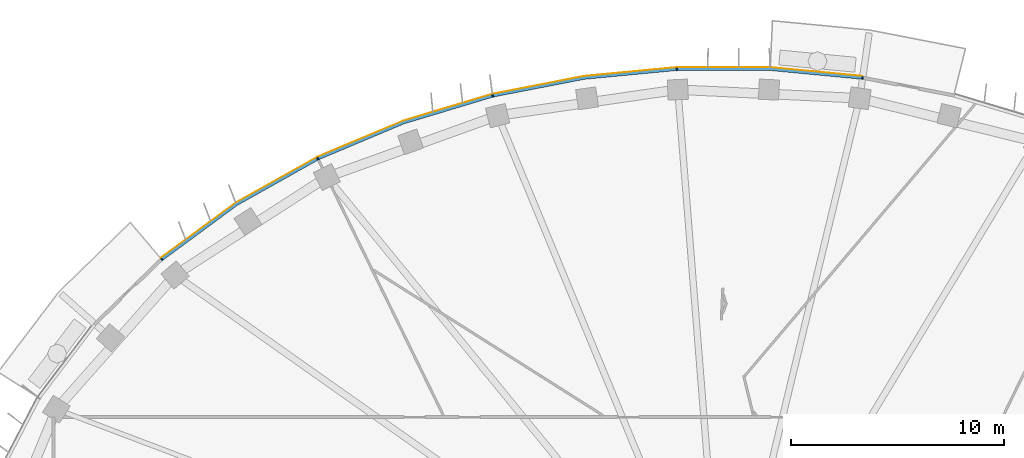
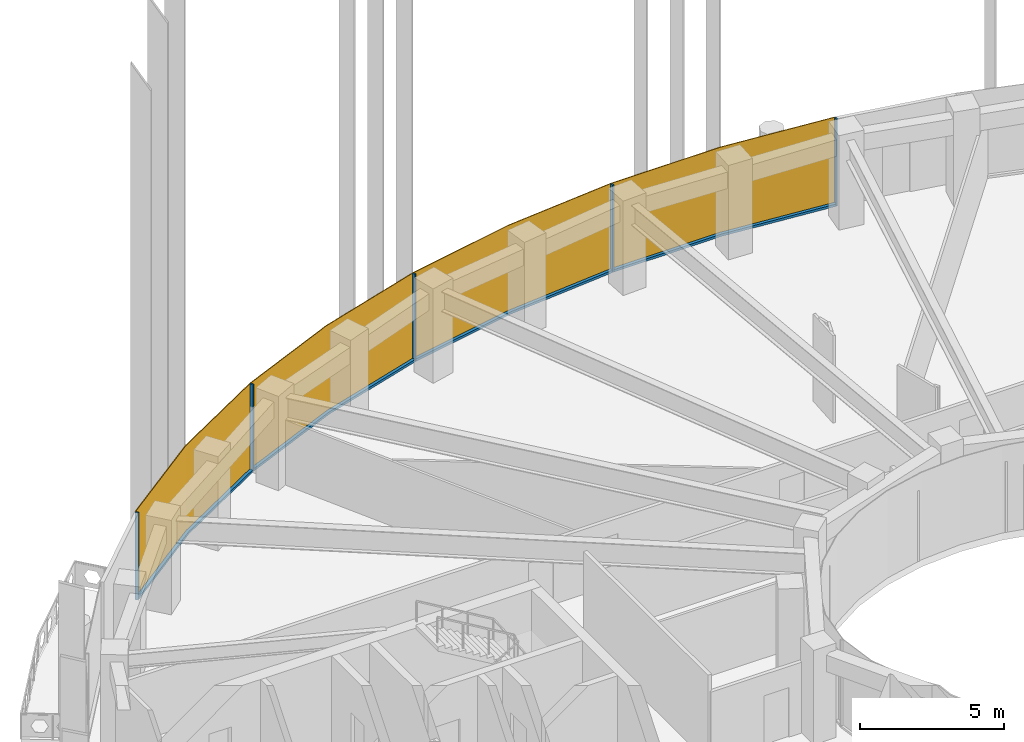
# One storey, part 11 of 17: 9 members, 1 curtain wall.
"""IFC4 building model written with IfcOpenShell, lengths in metres."""

from ifc_helpers import new_model, si_unit, direction, frame, origin, origin_2d, place, context, subcontext, project, spatial, polyline, rectangle, outline, extrude, material, layer, layer_set, material_profile, profile_set, type_object, element, aggregate, save


model = new_model("IFC4")

# Units and contexts
model_context = context("Model", 3, precision=1e-05, world=origin(), true_north=direction((0.0, 1.0)))
body_context = subcontext(model_context, "Body", "Model", "MODEL_VIEW")
ifc_project = project(units=[si_unit("LENGTHUNIT", "METRE"), si_unit("AREAUNIT", "SQUARE_METRE"), si_unit("VOLUMEUNIT", "CUBIC_METRE"), si_unit("PLANEANGLEUNIT", "RADIAN"), si_unit("MASSUNIT", "GRAM", prefix="KILO")], contexts=[model_context])

# Member
ifc_material_1 = material(Name="Aluminium 6063-T6 black anodised", Category="aluminium")
ifc_material_profile = material_profile(ifc_material_1, rectangle(XDim=0.1201171875, YDim=0.06005859375, at=origin_2d()), Name="120x60")
ifc_profile_set = profile_set([ifc_material_profile], Name="Aluminium 6063-T6 black anodised")
member_type_1 = type_object("IfcMemberType", Name="ENV-MULLION-A-120", PredefinedType="MULLION", material=ifc_profile_set)
site_placement = place(None, origin())
building_placement = place(site_placement, origin())
storey_placement = place(building_placement, frame((0.0, 0.0, 291.0)))
member_1_placement = place(storey_placement, frame((6.54638671875, 27.440185546875, 0.0), z_axis=(0.0, 0.0, 1.0), x_axis=(-0.143082012705, -0.989710835366, 0.0)))
member_1 = element("IfcMember", 1, at=member_1_placement, type_object=member_type_1, Name="Mullion A radial 11", PredefinedType="MULLION", context=body_context, shape_type="SweptSolid", body=[
    extrude(rectangle(XDim=0.1201171875, YDim=0.06005859375, at=origin_2d()), origin(), (0.0, 0.0, 1.0), 3.699951171875),
])

member_2_placement = place(storey_placement, frame((-2.188720703125, 27.856201171875, 0.0), z_axis=(0.0, 0.0, 1.0), x_axis=(0.047557873581, -0.998868484166, 0.0)))
member_2 = element("IfcMember", 2, at=member_2_placement, type_object=member_type_1, Name="Mullion A radial 13", PredefinedType="MULLION", context=body_context, shape_type="SweptSolid", body=[
    extrude(rectangle(XDim=0.1201171875, YDim=0.06005859375, at=origin_2d()), origin(), (0.0, 0.0, 1.0), 3.699951171875),
])

member_3_placement = place(storey_placement, frame((-10.84326171875, 26.60498046875, 0.0), z_axis=(0.0, 0.0, 1.0), x_axis=(0.239799081534, -0.970822538106, 0.0)))
member_3 = element("IfcMember", 3, at=member_3_placement, type_object=member_type_1, Name="Mullion A radial 15", PredefinedType="MULLION", context=body_context, shape_type="SweptSolid", body=[
    extrude(rectangle(XDim=0.1201171875, YDim=0.06005859375, at=origin_2d()), origin(), (0.0, 0.0, 1.0), 3.699951171875),
])

member_4_placement = place(storey_placement, frame((-19.06787109375, 23.6474609375, 0.0), z_axis=(0.0, 0.0, 1.0), x_axis=(0.439237769837, -0.898370848563, 0.0)))
member_4 = element("IfcMember", 4, at=member_4_placement, type_object=member_type_1, Name="Mullion A radial 17", PredefinedType="MULLION", context=body_context, shape_type="SweptSolid", body=[
    extrude(rectangle(XDim=0.1201171875, YDim=0.06005859375, at=origin_2d()), origin(), (0.0, 0.0, 1.0), 3.699951171875),
])

member_5_placement = place(storey_placement, frame((-26.403564453125, 18.9130859375, 0.0), z_axis=(0.0, 0.0, 1.0), x_axis=(0.646451313783, -0.762955240435, 0.0)))
member_5 = element("IfcMember", 5, at=member_5_placement, type_object=member_type_1, Name="Mullion A radial 19", PredefinedType="MULLION", context=body_context, shape_type="SweptSolid", body=[
    extrude(rectangle(XDim=0.1201171875, YDim=0.06005859375, at=origin_2d()), origin(), (0.0, 0.0, 1.0), 3.699951171875),
])

ifc_material_2 = material(Name="Aluminium 6063-T6 black anodised", Category="aluminium")
member_type_2 = type_object("IfcMemberType", Name="ENV-TRANSOM-A", PredefinedType="USERDEFINED", material=ifc_material_2)
member_6_placement = place(storey_placement, origin())
member_6 = element("IfcMember", 6, at=member_6_placement, type_object=member_type_2, Name="Transom A radial 11-13", ObjectType="TRANSOM", PredefinedType="USERDEFINED", context=body_context, shape_type="SweptSolid", body=[
    extrude(outline(polyline([(6.527099609375, 27.502197265625), (2.191650390625, 27.916015625), (-2.163818359375, 27.916015625), (-2.157958984375, 27.7958984375), (2.185791015625, 27.7958984375), (6.510009765625, 27.38330078125), (6.527099609375, 27.502197265625)])), origin(), (0.0, 0.0, 1.0), 0.10009765625),
])

member_7_placement = place(storey_placement, origin())
member_7 = element("IfcMember", 7, at=member_7_placement, type_object=member_type_2, Name="Transom A radial 13-15", ObjectType="TRANSOM", PredefinedType="USERDEFINED", context=body_context, shape_type="SweptSolid", body=[
    extrude(outline(polyline([(-2.219482421875, 27.913330078125), (-6.55517578125, 27.49951171875), (-10.830078125, 26.66845703125), (-10.80126953125, 26.552001953125), (-6.537841796875, 27.380615234375), (-2.2138671875, 27.793212890625), (-2.219482421875, 27.913330078125)])), origin(), (0.0, 0.0, 1.0), 0.10009765625),
])

member_8_placement = place(storey_placement, origin())
member_8 = element("IfcMember", 8, at=member_8_placement, type_object=member_type_2, Name="Transom A radial 15-17", ObjectType="TRANSOM", PredefinedType="USERDEFINED", context=body_context, shape_type="SweptSolid", body=[
    extrude(outline(polyline([(-10.884521484375, 26.655029296875), (-15.054443359375, 25.400146484375), (-19.068359375, 23.71240234375), (-19.015380859375, 23.604248046875), (-15.013916015625, 25.287109375), (-10.855712890625, 26.53857421875), (-10.884521484375, 26.655029296875)])), origin(), (0.0, 0.0, 1.0), 0.10009765625),
])

member_9_placement = place(storey_placement, origin())
member_9 = element("IfcMember", 9, at=member_9_placement, type_object=member_type_2, Name="Transom A radial 17-19", ObjectType="TRANSOM", PredefinedType="USERDEFINED", context=body_context, shape_type="SweptSolid", body=[
    extrude(outline(polyline([(-19.11865234375, 23.687744140625), (-22.9150390625, 21.556884765625), (-26.419921875, 18.975341796875), (-26.342041015625, 18.883544921875), (-22.85009765625, 21.455810546875), (-19.06591796875, 23.57958984375), (-19.11865234375, 23.687744140625)])), origin(), (0.0, 0.0, 1.0), 0.10009765625),
])

# Site, building, storey
site = spatial("IfcSite", under=ifc_project, at=site_placement, CompositionType="ELEMENT")
building = spatial("IfcBuilding", under=site, at=building_placement, Name="Noorbagh Ring Tower", CompositionType="ELEMENT")
storey = spatial("IfcBuildingStorey", under=building, at=storey_placement, Name="L62", CompositionType="ELEMENT", Elevation=291.0)

# Curtain wall
ifc_material_3 = material(Name="Glass dark tinted laminated", Category="glass")
ifc_layer = layer(ifc_material_3, 0.031982421875)
ifc_layer_set = layer_set([ifc_layer], Name="Glass dark tinted laminated")
curtain_wall_type = type_object("IfcCurtainWallType", Name="ENV-CW-A", PredefinedType="NOTDEFINED", material=ifc_layer_set)
curtain_wall_placement = place(storey_placement, origin())
curtain_wall = element("IfcCurtainWall", 10, at=curtain_wall_placement, inside=storey, type_object=curtain_wall_type, Name="Curtain wall A R11", PredefinedType="NOTDEFINED", context=body_context, shape_type="SweptSolid", body=[
    extrude(outline(polyline([(6.539794921875, 27.533203125), (2.193115234375, 27.947998046875), (-2.193115234375, 27.947998046875), (-6.559814453125, 27.53125), (-10.865234375, 26.6943359375), (-15.065185546875, 25.430419921875), (-19.108154296875, 23.730224609375), (-22.9326171875, 21.583740234375), (-26.447021484375, 18.9951171875), (-26.42626953125, 18.970703125), (-22.9150390625, 21.556884765625), (-19.093994140625, 23.701416015625), (-15.054443359375, 25.400146484375), (-10.857666015625, 26.6630859375), (-6.55517578125, 27.49951171875), (-2.191650390625, 27.916015625), (2.191650390625, 27.916015625), (6.53515625, 27.50146484375), (6.539794921875, 27.533203125)])), origin(), (0.0, 0.0, 1.0), 3.699951171875),
])

aggregate(curtain_wall, [member_1, member_2, member_3, member_4, member_5, member_6, member_7, member_8, member_9])

save(model, "model.ifc")
